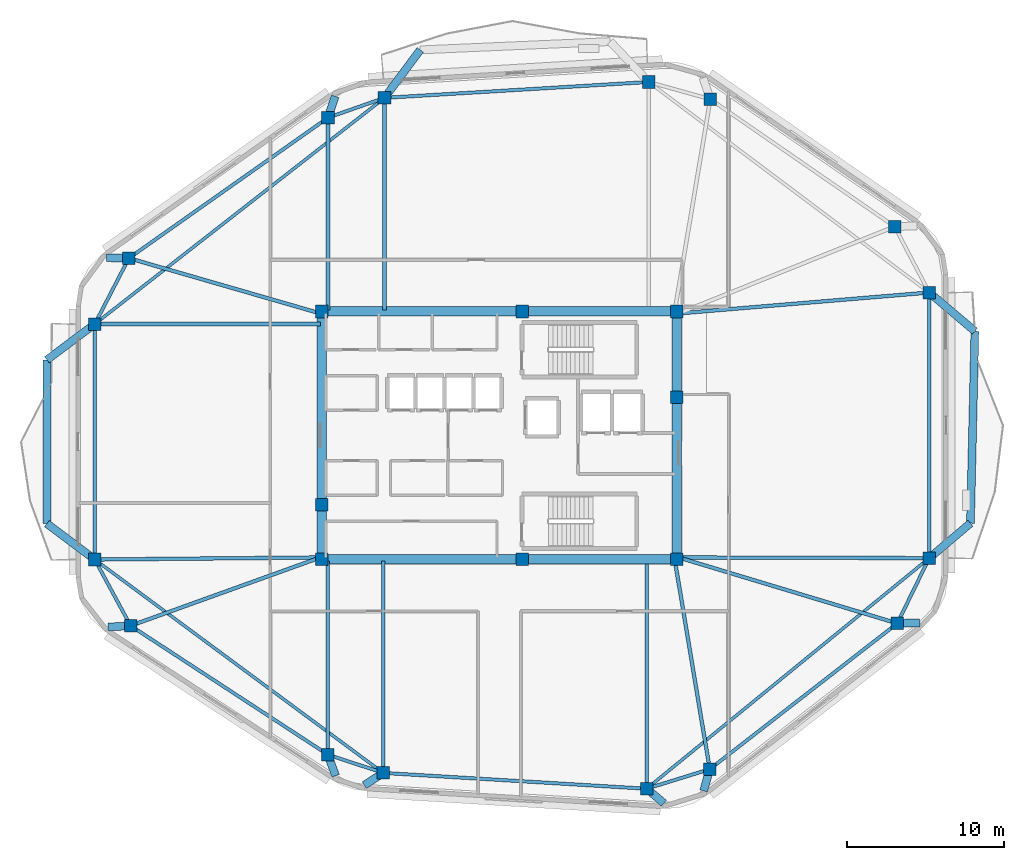
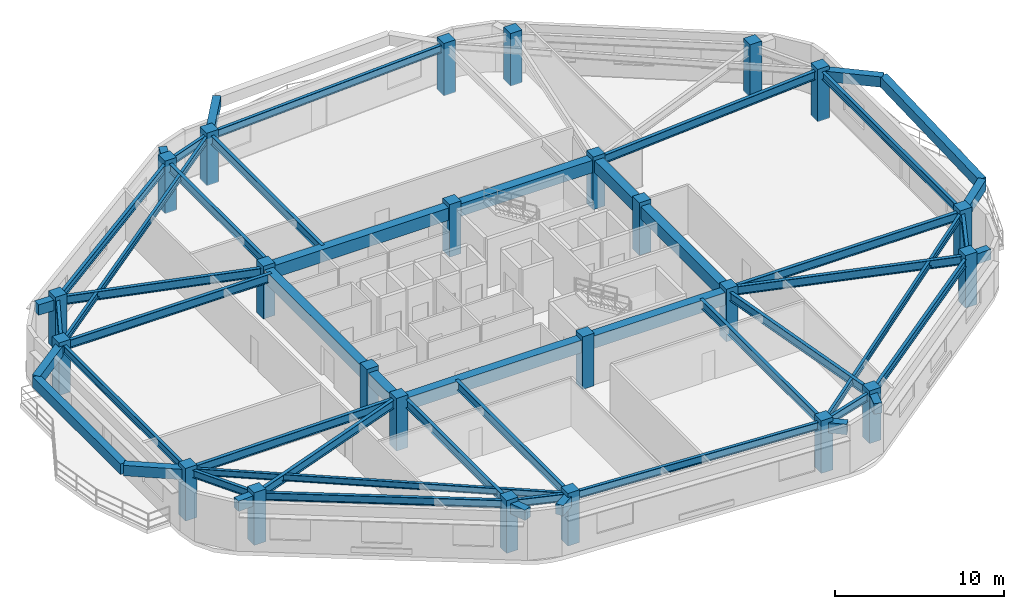
# One storey, part 1 of 9: 52 beams, 24 columns.
"""IFC4 building model written with IfcOpenShell, lengths in metres."""

from ifc_helpers import new_model, si_unit, direction, frame, origin, origin_2d, place, context, subcontext, project, spatial, rectangle, i_section, extrude, material, material_profile, profile_set, type_object, element, save


model = new_model("IFC4")

# Units and contexts
model_context = context("Model", 3, precision=1e-05, world=origin(), true_north=direction((0.0, 1.0)))
body_context = subcontext(model_context, "Body", "Model", "MODEL_VIEW")
ifc_project = project(units=[si_unit("LENGTHUNIT", "METRE"), si_unit("AREAUNIT", "SQUARE_METRE"), si_unit("VOLUMEUNIT", "CUBIC_METRE"), si_unit("PLANEANGLEUNIT", "RADIAN"), si_unit("MASSUNIT", "GRAM", prefix="KILO")], contexts=[model_context])

# Site, building, storey
site_placement = place(None, origin())
site = spatial("IfcSite", under=ifc_project, at=site_placement, CompositionType="ELEMENT")
building_placement = place(site_placement, origin())
building = spatial("IfcBuilding", under=site, at=building_placement, Name="Zulverin Broadcast Headquarters", CompositionType="ELEMENT")
storey_placement = place(building_placement, frame((0.0, 0.0, 251.60009765625)))
storey = spatial("IfcBuildingStorey", under=building, at=storey_placement, Name="L64", CompositionType="ELEMENT", Elevation=251.60009765625)

# Columns
ifc_material_1 = material(Name="Concrete C50/60", Category="concrete")
ifc_material_profile_1 = material_profile(ifc_material_1, rectangle(XDim=0.800048828125, YDim=0.800048828125, at=origin_2d()), Name="Concrete C50/60", Category="concrete")
ifc_profile_set_1 = profile_set([ifc_material_profile_1], Name="Concrete C50/60")
column_type_1 = type_object("IfcColumnType", Name="COL-RC-800", PredefinedType="COLUMN", material=ifc_profile_set_1)
for number, where, z_axis, x_axis, name in (
    (1, (29.6220703125, 3.763671875, 0.0), (0.0, 0.0, 1.0), (1.0, 0.0, 0.0), "L64 Perimeter Column T01"),
    (2, (46.3515625, 2.759521484375, 0.0), (0.0, 0.0, 1.0), (1.0, 0.0, 0.0), "L64 Perimeter Column T02"),
    (3, (50.361083984375, 4.001708984375, 0.0), (0.0, 0.0, 1.0), (1.0, 0.0, 0.0), "L64 Perimeter Column T03"),
    (4, (62.272216796875, 13.262451171875, 0.0), (0.0, 0.0, 1.0), (1.0, 0.0, 0.0), "L64 Perimeter Column T04"),
    (5, (64.300048828125, 17.40771484375, 0.0), (0.0, 0.0, 1.0), (1.0, 0.0, 0.0), "L64 Perimeter Column T05"),
    (6, (64.300048828125, 34.275634765625, 0.0), (0.0, 0.0, 1.0), (1.0, 0.0, 0.0), "L64 Perimeter Column T06"),
    (7, (62.102783203125, 38.465087890625, 0.0), (0.0, 0.0, 1.0), (1.0, 0.0, 0.0), "L64 Perimeter Column T07"),
    (8, (50.39794921875, 46.554443359375, 0.0), (0.0, 0.0, 1.0), (1.0, 0.0, 0.0), "L64 Perimeter Column T08"),
    (9, (46.4814453125, 47.6484375, 0.0), (0.0, 0.0, 1.0), (1.0, 0.0, 0.0), "L64 Perimeter Column T09"),
    (10, (29.70068359375, 46.64111328125, 0.0), (0.0, 0.0, 1.0), (1.0, 0.0, 0.0), "L64 Perimeter Column T10"),
    (11, (26.11474609375, 45.383544921875, 0.0), (0.0, 0.0, 1.0), (1.0, 0.0, 0.0), "L64 Perimeter Column T11"),
    (12, (13.46728515625, 36.457763671875, 0.0), (0.0, 0.0, 1.0), (1.0, 0.0, 0.0), "L64 Perimeter Column T12"),
    (13, (11.300048828125, 32.275390625, 0.0), (0.0, 0.0, 1.0), (1.0, 0.0, 0.0), "L64 Perimeter Column T13"),
    (14, (11.300048828125, 17.318603515625, 0.0), (0.0, 0.0, 1.0), (1.0, 0.0, 0.0), "L64 Perimeter Column T14"),
    (15, (13.576416015625, 13.11181640625, 0.0), (0.0, 0.0, 1.0), (1.0, 0.0, 0.0), "L64 Perimeter Column T15"),
    (16, (26.098876953125, 4.9287109375, 0.0), (0.0, 0.0, 1.0), (1.0, 0.0, 0.0), "L64 Perimeter Column T16"),
):
    element("IfcColumn", number, at=place(storey_placement, frame(where, z_axis=z_axis, x_axis=x_axis)), inside=storey, type_object=column_type_1, Name=name, PredefinedType="COLUMN", context=body_context, shape_type="SweptSolid", body=[
        extrude(rectangle(XDim=0.800048828125, YDim=0.800048828125, at=origin_2d()), origin(), (0.0, 0.0, 1.0), 3.7998046875),
    ])
ifc_material_profile_2 = material_profile(ifc_material_1, rectangle(XDim=0.800048828125, YDim=0.800048828125, at=origin_2d()), Name="Concrete C50/60", Category="concrete")
ifc_profile_set_2 = profile_set([ifc_material_profile_2], Name="Concrete C50/60")
column_type_2 = type_object("IfcColumnType", Name="PIL-RC-800", PredefinedType="PILASTER", material=ifc_profile_set_2)
for number, where, z_axis, x_axis, name in (
    (17, (25.72509765625, 17.324951171875, 0.0), (0.0, 0.0, 1.0), (1.0, 0.0, 0.0), "L64 Core Pilaster K01"),
    (18, (38.449951171875, 17.324951171875, 0.0), (0.0, 0.0, 1.0), (1.0, 0.0, 0.0), "L64 Core Pilaster K02"),
    (19, (48.27490234375, 17.324951171875, 0.0), (0.0, 0.0, 1.0), (1.0, 0.0, 0.0), "L64 Core Pilaster K03"),
    (20, (48.27490234375, 27.6201171875, 0.0), (0.0, 0.0, 1.0), (1.0, 0.0, 0.0), "L64 Core Pilaster K04"),
    (21, (48.27490234375, 33.074951171875, 0.0), (0.0, 0.0, 1.0), (1.0, 0.0, 0.0), "L64 Core Pilaster K05"),
    (22, (38.449951171875, 33.074951171875, 0.0), (0.0, 0.0, 1.0), (1.0, 0.0, 0.0), "L64 Core Pilaster K06"),
    (23, (25.72509765625, 33.074951171875, 0.0), (0.0, 0.0, 1.0), (1.0, 0.0, 0.0), "L64 Core Pilaster K07"),
    (24, (25.72509765625, 20.800048828125, 0.0), (0.0, 0.0, 1.0), (1.0, 0.0, 0.0), "L64 Core Pilaster K08"),
):
    element("IfcColumn", number, at=place(storey_placement, frame(where, z_axis=z_axis, x_axis=x_axis)), inside=storey, type_object=column_type_2, Name=name, PredefinedType="PILASTER", context=body_context, shape_type="SweptSolid", body=[
        extrude(rectangle(XDim=0.800048828125, YDim=0.800048828125, at=origin_2d()), origin(), (0.0, 0.0, 1.0), 3.7998046875),
    ])

# Beams
ifc_material_2 = material(Name="Concrete C60/75", Category="concrete")
ifc_material_profile_3 = material_profile(ifc_material_2, rectangle(XDim=0.60009765625, YDim=0.89990234375, at=origin_2d()), Name="Concrete C60/75", Category="concrete")
ifc_profile_set_3 = profile_set([ifc_material_profile_3], Name="Concrete C60/75")
beam_type_1 = type_object("IfcBeamType", Name="BM-CB-600x900", PredefinedType="LINTEL", material=ifc_profile_set_3)
beam_1_placement = place(storey_placement, frame((25.72509765625, 17.324951171875, 3.059814453125), z_axis=(1.0, 0.0, 0.0), x_axis=(0.0, 1.0, 0.0)))
element("IfcBeam", 25, at=beam_1_placement, inside=storey, type_object=beam_type_1, Name="L64 Core Coupling Girder K01-K02", PredefinedType="LINTEL", context=body_context, shape_type="SweptSolid", body=[
    extrude(rectangle(XDim=0.60009765625, YDim=0.89990234375, at=origin_2d()), origin(), (0.0, 0.0, 1.0), 12.724853515625),
])
beam_2_placement = place(storey_placement, frame((38.449951171875, 17.324951171875, 3.059814453125), z_axis=(1.0, 0.0, 0.0), x_axis=(0.0, 1.0, 0.0)))
element("IfcBeam", 26, at=beam_2_placement, inside=storey, type_object=beam_type_1, Name="L64 Core Coupling Girder K02-K03", PredefinedType="LINTEL", context=body_context, shape_type="SweptSolid", body=[
    extrude(rectangle(XDim=0.60009765625, YDim=0.89990234375, at=origin_2d()), origin(), (0.0, 0.0, 1.0), 9.824951171875),
])
beam_3_placement = place(storey_placement, frame((48.27490234375, 17.324951171875, 3.059814453125), z_axis=(0.0, 1.0, 0.0), x_axis=(-1.0, 0.0, 0.0)))
element("IfcBeam", 27, at=beam_3_placement, inside=storey, type_object=beam_type_1, Name="L64 Core Coupling Girder K03-K04", PredefinedType="LINTEL", context=body_context, shape_type="SweptSolid", body=[
    extrude(rectangle(XDim=0.60009765625, YDim=0.89990234375, at=origin_2d()), origin(), (0.0, 0.0, 1.0), 10.295166015625),
])
beam_4_placement = place(storey_placement, frame((48.27490234375, 27.6201171875, 3.059814453125), z_axis=(0.0, 1.0, 0.0), x_axis=(-1.0, 0.0, 0.0)))
element("IfcBeam", 28, at=beam_4_placement, inside=storey, type_object=beam_type_1, Name="L64 Core Coupling Girder K04-K05", PredefinedType="LINTEL", context=body_context, shape_type="SweptSolid", body=[
    extrude(rectangle(XDim=0.60009765625, YDim=0.89990234375, at=origin_2d()), origin(), (0.0, 0.0, 1.0), 5.454833984375),
])
beam_5_placement = place(storey_placement, frame((48.27490234375, 33.074951171875, 3.059814453125), z_axis=(-1.0, 0.0, 0.0), x_axis=(0.0, -1.0, 0.0)))
element("IfcBeam", 29, at=beam_5_placement, inside=storey, type_object=beam_type_1, Name="L64 Core Coupling Girder K05-K06", PredefinedType="LINTEL", context=body_context, shape_type="SweptSolid", body=[
    extrude(rectangle(XDim=0.60009765625, YDim=0.89990234375, at=origin_2d()), origin(), (0.0, 0.0, 1.0), 9.824951171875),
])
beam_6_placement = place(storey_placement, frame((38.449951171875, 33.074951171875, 3.059814453125), z_axis=(-1.0, 0.0, 0.0), x_axis=(0.0, -1.0, 0.0)))
element("IfcBeam", 30, at=beam_6_placement, inside=storey, type_object=beam_type_1, Name="L64 Core Coupling Girder K06-K07", PredefinedType="LINTEL", context=body_context, shape_type="SweptSolid", body=[
    extrude(rectangle(XDim=0.60009765625, YDim=0.89990234375, at=origin_2d()), origin(), (0.0, 0.0, 1.0), 12.724853515625),
])
beam_7_placement = place(storey_placement, frame((25.72509765625, 33.074951171875, 3.059814453125), z_axis=(0.0, -1.0, 0.0), x_axis=(1.0, 0.0, 0.0)))
element("IfcBeam", 31, at=beam_7_placement, inside=storey, type_object=beam_type_1, Name="L64 Core Coupling Girder K07-K08", PredefinedType="LINTEL", context=body_context, shape_type="SweptSolid", body=[
    extrude(rectangle(XDim=0.60009765625, YDim=0.89990234375, at=origin_2d()), origin(), (0.0, 0.0, 1.0), 12.27490234375),
])
beam_8_placement = place(storey_placement, frame((25.72509765625, 20.800048828125, 3.059814453125), z_axis=(0.0, -1.0, 0.0), x_axis=(1.0, 0.0, 0.0)))
element("IfcBeam", 32, at=beam_8_placement, inside=storey, type_object=beam_type_1, Name="L64 Core Coupling Girder K08-K01", PredefinedType="LINTEL", context=body_context, shape_type="SweptSolid", body=[
    extrude(rectangle(XDim=0.60009765625, YDim=0.89990234375, at=origin_2d()), origin(), (0.0, 0.0, 1.0), 3.47509765625),
])
ifc_material_3 = material(Name="Concrete C40/50", Category="concrete")
ifc_material_profile_4 = material_profile(ifc_material_3, rectangle(XDim=0.5, YDim=0.75, at=origin_2d()), Name="Concrete C40/50", Category="concrete")
ifc_profile_set_4 = profile_set([ifc_material_profile_4], Name="Concrete C40/50")
beam_type_2 = type_object("IfcBeamType", Name="BM-RC-500x750", PredefinedType="BEAM", material=ifc_profile_set_4)
beam_9_placement = place(storey_placement, frame((29.6220703125, 3.763671875, 3.135009765625), z_axis=(-0.83837730459, -0.545090355031, 0.0), x_axis=(0.545090355031, -0.83837730459, 0.0)))
element("IfcBeam", 33, at=beam_9_placement, inside=storey, type_object=beam_type_2, Name="L65 Plate Overhang Back-Spanned Beam OVR-01", PredefinedType="BEAM", context=body_context, shape_type="SweptSolid", body=[
    extrude(rectangle(XDim=0.5, YDim=0.75, at=origin_2d()), origin(), (0.0, 0.0, 1.0), 1.43017578125),
])
for number, where, z_axis, x_axis, name in (
    (34, (46.3515625, 2.759521484375, 3.135009765625), (0.767058538949, -0.641577117598, 0.0), (0.641577117598, 0.767058538949, 0.0), "L65 Plate Overhang Back-Spanned Beam OVR-02"),
    (35, (50.361083984375, 4.001708984375, 3.135009765625), (-0.269914876125, -0.962884188076, 0.0), (0.962884188076, -0.269914876125, 0.0), "L65 Plate Overhang Back-Spanned Beam OVR-03"),
):
    element("IfcBeam", number, at=place(storey_placement, frame(where, z_axis=z_axis, x_axis=x_axis)), inside=storey, type_object=beam_type_2, Name=name, PredefinedType="BEAM", context=body_context, shape_type="SweptSolid", body=[
        extrude(rectangle(XDim=0.5, YDim=0.75, at=origin_2d()), origin(), (0.0, 0.0, 1.0), 1.429931640625),
    ])
for number, where, z_axis, x_axis, name in (
    (36, (62.272216796875, 13.262451171875, 3.135009765625), (0.999706131466, 0.024241507969, 0.0), (-0.024241507969, 0.999706131466, 0.0), "L65 Plate Overhang Back-Spanned Beam OVR-04"),
    (37, (26.11474609375, 45.383544921875, 3.135009765625), (0.314280982662, 0.94933000792, 0.0), (-0.94933000792, 0.314280982662, 0.0), "L65 Plate Overhang Back-Spanned Beam OVR-11"),
):
    element("IfcBeam", number, at=place(storey_placement, frame(where, z_axis=z_axis, x_axis=x_axis)), inside=storey, type_object=beam_type_2, Name=name, PredefinedType="BEAM", context=body_context, shape_type="SweptSolid", body=[
        extrude(rectangle(XDim=0.5, YDim=0.75, at=origin_2d()), origin(), (0.0, 0.0, 1.0), 1.43017578125),
    ])
beam_10_placement = place(storey_placement, frame((13.46728515625, 36.457763671875, 3.135009765625), z_axis=(-0.999761201155, 0.02185270385, 0.0), x_axis=(-0.02185270385, -0.999761201155, 0.0)))
element("IfcBeam", 38, at=beam_10_placement, inside=storey, type_object=beam_type_2, Name="L65 Plate Overhang Back-Spanned Beam OVR-12", PredefinedType="BEAM", context=body_context, shape_type="SweptSolid", body=[
    extrude(rectangle(XDim=0.5, YDim=0.75, at=origin_2d()), origin(), (0.0, 0.0, 1.0), 1.429931640625),
])
beam_11_placement = place(storey_placement, frame((13.576416015625, 13.11181640625, 3.135009765625), z_axis=(-0.998333895448, -0.057701240879, 0.0), x_axis=(0.057701240879, -0.998333895448, 0.0)))
element("IfcBeam", 39, at=beam_11_placement, inside=storey, type_object=beam_type_2, Name="L65 Plate Overhang Back-Spanned Beam OVR-15", PredefinedType="BEAM", context=body_context, shape_type="SweptSolid", body=[
    extrude(rectangle(XDim=0.5, YDim=0.75, at=origin_2d()), origin(), (0.0, 0.0, 1.0), 1.43017578125),
])
beam_12_placement = place(storey_placement, frame((26.098876953125, 4.9287109375, 3.135009765625), z_axis=(0.348109371259, -0.93745392721, 0.0), x_axis=(0.93745392721, 0.348109371259, 0.0)))
element("IfcBeam", 40, at=beam_12_placement, inside=storey, type_object=beam_type_2, Name="L65 Plate Overhang Back-Spanned Beam OVR-16", PredefinedType="BEAM", context=body_context, shape_type="SweptSolid", body=[
    extrude(rectangle(XDim=0.5, YDim=0.75, at=origin_2d()), origin(), (0.0, 0.0, 1.0), 1.429931640625),
])
beam_13_placement = place(storey_placement, frame((64.300048828125, 17.40771484375, 3.135009765625), z_axis=(0.76331882833, 0.64602195498, 0.0), x_axis=(-0.64602195498, 0.76331882833, 0.0)))
element("IfcBeam", 41, at=beam_13_placement, inside=storey, type_object=beam_type_2, Name="L65 Balcony Column-Framed Cantilever BAL_E-1", PredefinedType="BEAM", context=body_context, shape_type="SweptSolid", body=[
    extrude(rectangle(XDim=0.5, YDim=0.75, at=origin_2d()), origin(), (0.0, 0.0, 1.0), 3.43212890625),
])
beam_14_placement = place(storey_placement, frame((64.300048828125, 34.275634765625, 3.135009765625), z_axis=(0.763327794612, -0.646011360561, 0.0), x_axis=(0.646011360561, 0.763327794612, 0.0)))
element("IfcBeam", 42, at=beam_14_placement, inside=storey, type_object=beam_type_2, Name="L65 Balcony Column-Framed Cantilever BAL_E-2", PredefinedType="BEAM", context=body_context, shape_type="SweptSolid", body=[
    extrude(rectangle(XDim=0.5, YDim=0.75, at=origin_2d()), origin(), (0.0, 0.0, 1.0), 3.800048828125),
])
beam_15_placement = place(storey_placement, frame((66.919921875, 19.625, 3.135009765625), z_axis=(0.023015081587, 0.999735117929, 0.0), x_axis=(-0.999735117929, 0.023015081587, 0.0)))
element("IfcBeam", 43, at=beam_15_placement, inside=storey, type_object=beam_type_2, Name="L65 Balcony Outer Edge Trimmer Beam BAL_E", PredefinedType="BEAM", context=body_context, shape_type="SweptSolid", body=[
    extrude(rectangle(XDim=0.5, YDim=0.75, at=origin_2d()), origin(), (0.0, 0.0, 1.0), 12.198974609375),
])
for number, where, z_axis, x_axis, name in (
    (44, (29.70068359375, 46.64111328125, 3.135009765625), (0.597756700855, 0.801677570213, 0.0), (-0.801677570213, 0.597756700855, 0.0), "L65 Balcony Column-Framed Cantilever BAL_N-2"),
    (45, (11.300048828125, 32.275390625, 3.135009765625), (-0.80024663654, -0.599671010394, 0.0), (0.599671010394, -0.80024663654, 0.0), "L65 Balcony Column-Framed Cantilever BAL_W-1"),
    (46, (11.300048828125, 17.318603515625, 3.135009765625), (-0.80024663654, 0.599671010394, 0.0), (-0.599671010394, -0.80024663654, 0.0), "L65 Balcony Column-Framed Cantilever BAL_W-2"),
):
    element("IfcBeam", number, at=place(storey_placement, frame(where, z_axis=z_axis, x_axis=x_axis)), inside=storey, type_object=beam_type_2, Name=name, PredefinedType="BEAM", context=body_context, shape_type="SweptSolid", body=[
        extrude(rectangle(XDim=0.5, YDim=0.75, at=origin_2d()), origin(), (0.0, 0.0, 1.0), 3.800048828125),
    ])
beam_16_placement = place(storey_placement, frame((8.259033203125, 29.99658203125, 3.135009765625), z_axis=(0.0, -1.0, 0.0), x_axis=(1.0, 0.0, 0.0)))
element("IfcBeam", 47, at=beam_16_placement, inside=storey, type_object=beam_type_2, Name="L65 Balcony Outer Edge Trimmer Beam BAL_W", PredefinedType="BEAM", context=body_context, shape_type="SweptSolid", body=[
    extrude(rectangle(XDim=0.5, YDim=0.75, at=origin_2d()), origin(), (0.0, 0.0, 1.0), 10.399169921875),
])
ifc_material_4 = material(Name="Structural steel S355JR", Category="steel")
ifc_material_profile_5 = material_profile(ifc_material_4, i_section(OverallWidth=0.19287109375, OverallDepth=0.46728515625, WebThickness=0.011474609375, FlangeThickness=0.01953125, at=origin_2d()), Name="Structural steel S355JR", Category="steel")
ifc_profile_set_5 = profile_set([ifc_material_profile_5], Name="Structural steel S355JR")
beam_type_3 = type_object("IfcBeamType", Name="BM-UB-457", PredefinedType="JOIST", material=ifc_profile_set_5)
beam_17_placement = place(storey_placement, frame((46.3515625, 2.759521484375, 3.2763671875), z_axis=(0.77473799882, 0.632282399869, 0.0), x_axis=(-0.632282399869, 0.77473799882, 0.0)))
element("IfcBeam", 48, at=beam_17_placement, inside=storey, type_object=beam_type_3, Name="L64 Chordal Floor Joist J-01", PredefinedType="JOIST", context=body_context, shape_type="SweptSolid", body=[
    extrude(i_section(OverallWidth=0.19287109375, OverallDepth=0.46728515625, WebThickness=0.011474609375, FlangeThickness=0.01953125, at=origin_2d()), origin(), (0.0, 0.0, 1.0), 23.167236328125),
])
beam_18_placement = place(storey_placement, frame((29.70068359375, 46.64111328125, 3.2763671875), z_axis=(-0.788227438956, -0.615384030079, 0.0), x_axis=(0.615384030079, -0.788227438956, 0.0)))
element("IfcBeam", 49, at=beam_18_placement, inside=storey, type_object=beam_type_3, Name="L64 Chordal Floor Joist J-03", PredefinedType="JOIST", context=body_context, shape_type="SweptSolid", body=[
    extrude(i_section(OverallWidth=0.19287109375, OverallDepth=0.46728515625, WebThickness=0.011474609375, FlangeThickness=0.01953125, at=origin_2d()), origin(), (0.0, 0.0, 1.0), 23.34423828125),
])
beam_19_placement = place(storey_placement, frame((11.300048828125, 17.318603515625, 3.2763671875), z_axis=(0.803912476144, -0.594747619332, 0.0), x_axis=(0.594747619332, 0.803912476144, 0.0)))
element("IfcBeam", 50, at=beam_19_placement, inside=storey, type_object=beam_type_3, Name="L64 Chordal Floor Joist J-04", PredefinedType="JOIST", context=body_context, shape_type="SweptSolid", body=[
    extrude(i_section(OverallWidth=0.19287109375, OverallDepth=0.46728515625, WebThickness=0.011474609375, FlangeThickness=0.01953125, at=origin_2d()), origin(), (0.0, 0.0, 1.0), 22.791015625),
])
ifc_material_profile_6 = material_profile(ifc_material_4, i_section(OverallWidth=0.2119140625, OverallDepth=0.54443359375, WebThickness=0.0126953125, FlangeThickness=0.021240234375, at=origin_2d()), Name="Structural steel S355JR", Category="steel")
ifc_profile_set_6 = profile_set([ifc_material_profile_6], Name="Structural steel S355JR")
beam_type_4 = type_object("IfcBeamType", Name="BM-UB-533", PredefinedType="SPANDREL", material=ifc_profile_set_6)
beam_20_placement = place(storey_placement, frame((29.6220703125, 3.763671875, 3.237548828125), z_axis=(0.998203486609, -0.059914934044, 0.0), x_axis=(0.059914934044, 0.998203486609, 0.0)))
element("IfcBeam", 51, at=beam_20_placement, inside=storey, type_object=beam_type_4, Name="L64 Perimeter Spandrel Beam SP-01", PredefinedType="SPANDREL", context=body_context, shape_type="SweptSolid", body=[
    extrude(i_section(OverallWidth=0.2119140625, OverallDepth=0.54443359375, WebThickness=0.0126953125, FlangeThickness=0.021240234375, at=origin_2d()), origin(), (0.0, 0.0, 1.0), 16.759521484375),
])
beam_21_placement = place(storey_placement, frame((46.3515625, 2.759521484375, 3.237548828125), z_axis=(0.955208799219, 0.295932677978, 0.0), x_axis=(-0.295932677978, 0.955208799219, 0.0)))
element("IfcBeam", 52, at=beam_21_placement, inside=storey, type_object=beam_type_4, Name="L64 Perimeter Spandrel Beam SP-02", PredefinedType="SPANDREL", context=body_context, shape_type="SweptSolid", body=[
    extrude(i_section(OverallWidth=0.2119140625, OverallDepth=0.54443359375, WebThickness=0.0126953125, FlangeThickness=0.021240234375, at=origin_2d()), origin(), (0.0, 0.0, 1.0), 4.197509765625),
])
beam_22_placement = place(storey_placement, frame((50.361083984375, 4.001708984375, 3.237548828125), z_axis=(0.789463732329, 0.613797210271, 0.0), x_axis=(-0.613797210271, 0.789463732329, 0.0)))
element("IfcBeam", 53, at=beam_22_placement, inside=storey, type_object=beam_type_4, Name="L64 Perimeter Spandrel Beam SP-03", PredefinedType="SPANDREL", context=body_context, shape_type="SweptSolid", body=[
    extrude(i_section(OverallWidth=0.2119140625, OverallDepth=0.54443359375, WebThickness=0.0126953125, FlangeThickness=0.021240234375, at=origin_2d()), origin(), (0.0, 0.0, 1.0), 15.087646484375),
])
beam_23_placement = place(storey_placement, frame((62.272216796875, 13.262451171875, 3.237548828125), z_axis=(0.439430258265, 0.898276710219, 0.0), x_axis=(-0.898276710219, 0.439430258265, 0.0)))
element("IfcBeam", 54, at=beam_23_placement, inside=storey, type_object=beam_type_4, Name="L64 Perimeter Spandrel Beam SP-04", PredefinedType="SPANDREL", context=body_context, shape_type="SweptSolid", body=[
    extrude(i_section(OverallWidth=0.2119140625, OverallDepth=0.54443359375, WebThickness=0.0126953125, FlangeThickness=0.021240234375, at=origin_2d()), origin(), (0.0, 0.0, 1.0), 4.61474609375),
])
beam_24_placement = place(storey_placement, frame((64.300048828125, 17.40771484375, 3.237548828125), z_axis=(0.0, 1.0, 0.0), x_axis=(-1.0, 0.0, 0.0)))
element("IfcBeam", 55, at=beam_24_placement, inside=storey, type_object=beam_type_4, Name="L64 Perimeter Spandrel Beam SP-05", PredefinedType="SPANDREL", context=body_context, shape_type="SweptSolid", body=[
    extrude(i_section(OverallWidth=0.2119140625, OverallDepth=0.54443359375, WebThickness=0.0126953125, FlangeThickness=0.021240234375, at=origin_2d()), origin(), (0.0, 0.0, 1.0), 16.867919921875),
])
beam_25_placement = place(storey_placement, frame((46.4814453125, 47.6484375, 3.237548828125), z_axis=(-0.99820314332, -0.059920653088, 0.0), x_axis=(0.059920653088, -0.99820314332, 0.0)))
element("IfcBeam", 56, at=beam_25_placement, inside=storey, type_object=beam_type_4, Name="L64 Perimeter Spandrel Beam SP-09", PredefinedType="SPANDREL", context=body_context, shape_type="SweptSolid", body=[
    extrude(i_section(OverallWidth=0.2119140625, OverallDepth=0.54443359375, WebThickness=0.0126953125, FlangeThickness=0.021240234375, at=origin_2d()), origin(), (0.0, 0.0, 1.0), 16.81103515625),
])
beam_26_placement = place(storey_placement, frame((29.70068359375, 46.64111328125, 3.237548828125), z_axis=(-0.943653845921, -0.330934161243, 0.0), x_axis=(0.330934161243, -0.943653845921, 0.0)))
element("IfcBeam", 57, at=beam_26_placement, inside=storey, type_object=beam_type_4, Name="L64 Perimeter Spandrel Beam SP-10", PredefinedType="SPANDREL", context=body_context, shape_type="SweptSolid", body=[
    extrude(i_section(OverallWidth=0.2119140625, OverallDepth=0.54443359375, WebThickness=0.0126953125, FlangeThickness=0.021240234375, at=origin_2d()), origin(), (0.0, 0.0, 1.0), 3.800048828125),
])
beam_27_placement = place(storey_placement, frame((26.11474609375, 45.383544921875, 3.237548828125), z_axis=(-0.817023806154, -0.576603937012, 0.0), x_axis=(0.576603937012, -0.817023806154, 0.0)))
element("IfcBeam", 58, at=beam_27_placement, inside=storey, type_object=beam_type_4, Name="L64 Perimeter Spandrel Beam SP-11", PredefinedType="SPANDREL", context=body_context, shape_type="SweptSolid", body=[
    extrude(i_section(OverallWidth=0.2119140625, OverallDepth=0.54443359375, WebThickness=0.0126953125, FlangeThickness=0.021240234375, at=origin_2d()), origin(), (0.0, 0.0, 1.0), 15.47998046875),
])
beam_28_placement = place(storey_placement, frame((13.46728515625, 36.457763671875, 3.237548828125), z_axis=(-0.460082658911, -0.887876087621, 0.0), x_axis=(0.887876087621, -0.460082658911, 0.0)))
element("IfcBeam", 59, at=beam_28_placement, inside=storey, type_object=beam_type_4, Name="L64 Perimeter Spandrel Beam SP-12", PredefinedType="SPANDREL", context=body_context, shape_type="SweptSolid", body=[
    extrude(i_section(OverallWidth=0.2119140625, OverallDepth=0.54443359375, WebThickness=0.0126953125, FlangeThickness=0.021240234375, at=origin_2d()), origin(), (0.0, 0.0, 1.0), 4.71044921875),
])
beam_29_placement = place(storey_placement, frame((11.300048828125, 32.275390625, 3.237548828125), z_axis=(0.0, -1.0, 0.0), x_axis=(1.0, 0.0, 0.0)))
element("IfcBeam", 60, at=beam_29_placement, inside=storey, type_object=beam_type_4, Name="L64 Perimeter Spandrel Beam SP-13", PredefinedType="SPANDREL", context=body_context, shape_type="SweptSolid", body=[
    extrude(i_section(OverallWidth=0.2119140625, OverallDepth=0.54443359375, WebThickness=0.0126953125, FlangeThickness=0.021240234375, at=origin_2d()), origin(), (0.0, 0.0, 1.0), 14.956787109375),
])
beam_30_placement = place(storey_placement, frame((11.300048828125, 17.318603515625, 3.237548828125), z_axis=(0.475909852672, -0.879494066, 0.0), x_axis=(0.879494066, 0.475909852672, 0.0)))
element("IfcBeam", 61, at=beam_30_placement, inside=storey, type_object=beam_type_4, Name="L64 Perimeter Spandrel Beam SP-14", PredefinedType="SPANDREL", context=body_context, shape_type="SweptSolid", body=[
    extrude(i_section(OverallWidth=0.2119140625, OverallDepth=0.54443359375, WebThickness=0.0126953125, FlangeThickness=0.021240234375, at=origin_2d()), origin(), (0.0, 0.0, 1.0), 4.783203125),
])
beam_31_placement = place(storey_placement, frame((13.576416015625, 13.11181640625, 3.237548828125), z_axis=(0.837112191398, -0.547031241349, 0.0), x_axis=(0.547031241349, 0.837112191398, 0.0)))
element("IfcBeam", 62, at=beam_31_placement, inside=storey, type_object=beam_type_4, Name="L64 Perimeter Spandrel Beam SP-15", PredefinedType="SPANDREL", context=body_context, shape_type="SweptSolid", body=[
    extrude(i_section(OverallWidth=0.2119140625, OverallDepth=0.54443359375, WebThickness=0.0126953125, FlangeThickness=0.021240234375, at=origin_2d()), origin(), (0.0, 0.0, 1.0), 14.959228515625),
])
beam_32_placement = place(storey_placement, frame((26.098876953125, 4.9287109375, 3.237548828125), z_axis=(0.949437184981, -0.313957054031, 0.0), x_axis=(0.313957054031, 0.949437184981, 0.0)))
element("IfcBeam", 63, at=beam_32_placement, inside=storey, type_object=beam_type_4, Name="L64 Perimeter Spandrel Beam SP-16", PredefinedType="SPANDREL", context=body_context, shape_type="SweptSolid", body=[
    extrude(i_section(OverallWidth=0.2119140625, OverallDepth=0.54443359375, WebThickness=0.0126953125, FlangeThickness=0.021240234375, at=origin_2d()), origin(), (0.0, 0.0, 1.0), 3.7109375),
])
ifc_material_profile_7 = material_profile(ifc_material_4, i_section(OverallWidth=0.230224609375, OverallDepth=0.6171875, WebThickness=0.01318359375, FlangeThickness=0.022216796875, at=origin_2d()), Name="Structural steel S355JR", Category="steel")
ifc_profile_set_7 = profile_set([ifc_material_profile_7], Name="Structural steel S355JR")
beam_type_5 = type_object("IfcBeamType", Name="BM-UB-610", PredefinedType="BEAM", material=ifc_profile_set_7)
beam_33_placement = place(storey_placement, frame((29.6220703125, 17.22509765625, 3.201416015625), z_axis=(0.0, -1.0, 0.0), x_axis=(1.0, 0.0, 0.0)))
element("IfcBeam", 64, at=beam_33_placement, inside=storey, type_object=beam_type_5, Name="L64 Radial Primary Floor Beam RB-01", PredefinedType="BEAM", context=body_context, shape_type="SweptSolid", body=[
    extrude(i_section(OverallWidth=0.230224609375, OverallDepth=0.6171875, WebThickness=0.01318359375, FlangeThickness=0.022216796875, at=origin_2d()), origin(), (0.0, 0.0, 1.0), 13.46142578125),
])
beam_34_placement = place(storey_placement, frame((46.3515625, 17.22509765625, 3.201416015625), z_axis=(0.0, -1.0, 0.0), x_axis=(1.0, 0.0, 0.0)))
element("IfcBeam", 65, at=beam_34_placement, inside=storey, type_object=beam_type_5, Name="L64 Radial Primary Floor Beam RB-02", PredefinedType="BEAM", context=body_context, shape_type="SweptSolid", body=[
    extrude(i_section(OverallWidth=0.230224609375, OverallDepth=0.6171875, WebThickness=0.01318359375, FlangeThickness=0.022216796875, at=origin_2d()), origin(), (0.0, 0.0, 1.0), 14.465576171875),
])
beam_35_placement = place(storey_placement, frame((48.14990234375, 17.22509765625, 3.201416015625), z_axis=(0.1649275445, -0.986305685407, 0.0), x_axis=(0.986305685407, 0.1649275445, 0.0)))
element("IfcBeam", 66, at=beam_35_placement, inside=storey, type_object=beam_type_5, Name="L64 Radial Primary Floor Beam RB-03", PredefinedType="BEAM", context=body_context, shape_type="SweptSolid", body=[
    extrude(i_section(OverallWidth=0.230224609375, OverallDepth=0.6171875, WebThickness=0.01318359375, FlangeThickness=0.022216796875, at=origin_2d()), origin(), (0.0, 0.0, 1.0), 13.406982421875),
])
beam_36_placement = place(storey_placement, frame((48.375, 17.449951171875, 3.201416015625), z_axis=(0.957477907331, -0.288506597799, 0.0), x_axis=(0.288506597799, 0.957477907331, 0.0)))
element("IfcBeam", 67, at=beam_36_placement, inside=storey, type_object=beam_type_5, Name="L64 Radial Primary Floor Beam RB-04", PredefinedType="BEAM", context=body_context, shape_type="SweptSolid", body=[
    extrude(i_section(OverallWidth=0.230224609375, OverallDepth=0.6171875, WebThickness=0.01318359375, FlangeThickness=0.022216796875, at=origin_2d()), origin(), (0.0, 0.0, 1.0), 14.514404296875),
])
beam_37_placement = place(storey_placement, frame((48.375, 17.449951171875, 3.201416015625), z_axis=(0.999996482951, -0.002652185248, 0.0), x_axis=(0.002652185248, 0.999996482951, 0.0)))
element("IfcBeam", 68, at=beam_37_placement, inside=storey, type_object=beam_type_5, Name="L64 Radial Primary Floor Beam RB-05", PredefinedType="BEAM", context=body_context, shape_type="SweptSolid", body=[
    extrude(i_section(OverallWidth=0.230224609375, OverallDepth=0.6171875, WebThickness=0.01318359375, FlangeThickness=0.022216796875, at=origin_2d()), origin(), (0.0, 0.0, 1.0), 15.925048828125),
])
beam_38_placement = place(storey_placement, frame((48.375, 32.949951171875, 3.201416015625), z_axis=(0.996553024533, 0.082958238256, 0.0), x_axis=(-0.082958238256, 0.996553024533, 0.0)))
element("IfcBeam", 69, at=beam_38_placement, inside=storey, type_object=beam_type_5, Name="L64 Radial Primary Floor Beam RB-06", PredefinedType="BEAM", context=body_context, shape_type="SweptSolid", body=[
    extrude(i_section(OverallWidth=0.230224609375, OverallDepth=0.6171875, WebThickness=0.01318359375, FlangeThickness=0.022216796875, at=origin_2d()), origin(), (0.0, 0.0, 1.0), 15.980224609375),
])
beam_39_placement = place(storey_placement, frame((29.70068359375, 33.175048828125, 3.201416015625), z_axis=(0.0, 1.0, 0.0), x_axis=(-1.0, 0.0, 0.0)))
element("IfcBeam", 70, at=beam_39_placement, inside=storey, type_object=beam_type_5, Name="L64 Radial Primary Floor Beam RB-10", PredefinedType="BEAM", context=body_context, shape_type="SweptSolid", body=[
    extrude(i_section(OverallWidth=0.230224609375, OverallDepth=0.6171875, WebThickness=0.01318359375, FlangeThickness=0.022216796875, at=origin_2d()), origin(), (0.0, 0.0, 1.0), 13.466064453125),
])
beam_40_placement = place(storey_placement, frame((26.11474609375, 33.175048828125, 3.201416015625), z_axis=(0.0, 1.0, 0.0), x_axis=(-1.0, 0.0, 0.0)))
element("IfcBeam", 71, at=beam_40_placement, inside=storey, type_object=beam_type_5, Name="L64 Radial Primary Floor Beam RB-11", PredefinedType="BEAM", context=body_context, shape_type="SweptSolid", body=[
    extrude(i_section(OverallWidth=0.230224609375, OverallDepth=0.6171875, WebThickness=0.01318359375, FlangeThickness=0.022216796875, at=origin_2d()), origin(), (0.0, 0.0, 1.0), 12.20849609375),
])
beam_41_placement = place(storey_placement, frame((25.625, 32.949951171875, 3.201416015625), z_axis=(-0.960807187215, 0.277217512067, 0.0), x_axis=(-0.277217512067, -0.960807187215, 0.0)))
element("IfcBeam", 72, at=beam_41_placement, inside=storey, type_object=beam_type_5, Name="L64 Radial Primary Floor Beam RB-12", PredefinedType="BEAM", context=body_context, shape_type="SweptSolid", body=[
    extrude(i_section(OverallWidth=0.230224609375, OverallDepth=0.6171875, WebThickness=0.01318359375, FlangeThickness=0.022216796875, at=origin_2d()), origin(), (0.0, 0.0, 1.0), 12.653564453125),
])
beam_42_placement = place(storey_placement, frame((25.625, 32.275390625, 3.201416015625), z_axis=(-1.0, 0.0, 0.0), x_axis=(0.0, -1.0, 0.0)))
element("IfcBeam", 73, at=beam_42_placement, inside=storey, type_object=beam_type_5, Name="L64 Radial Primary Floor Beam RB-13", PredefinedType="BEAM", context=body_context, shape_type="SweptSolid", body=[
    extrude(i_section(OverallWidth=0.230224609375, OverallDepth=0.6171875, WebThickness=0.01318359375, FlangeThickness=0.022216796875, at=origin_2d()), origin(), (0.0, 0.0, 1.0), 14.324951171875),
])
beam_43_placement = place(storey_placement, frame((25.625, 17.449951171875, 3.201416015625), z_axis=(-0.999957965975, -0.009168766693, 0.0), x_axis=(0.009168766693, -0.999957965975, 0.0)))
element("IfcBeam", 74, at=beam_43_placement, inside=storey, type_object=beam_type_5, Name="L64 Radial Primary Floor Beam RB-14", PredefinedType="BEAM", context=body_context, shape_type="SweptSolid", body=[
    extrude(i_section(OverallWidth=0.230224609375, OverallDepth=0.6171875, WebThickness=0.01318359375, FlangeThickness=0.022216796875, at=origin_2d()), origin(), (0.0, 0.0, 1.0), 14.325439453125),
])
beam_44_placement = place(storey_placement, frame((25.625, 17.449951171875, 3.201416015625), z_axis=(-0.940871370382, -0.338764024646, 0.0), x_axis=(0.338764024646, -0.940871370382, 0.0)))
element("IfcBeam", 75, at=beam_44_placement, inside=storey, type_object=beam_type_5, Name="L64 Radial Primary Floor Beam RB-15", PredefinedType="BEAM", context=body_context, shape_type="SweptSolid", body=[
    extrude(i_section(OverallWidth=0.230224609375, OverallDepth=0.6171875, WebThickness=0.01318359375, FlangeThickness=0.022216796875, at=origin_2d()), origin(), (0.0, 0.0, 1.0), 12.8056640625),
])
beam_45_placement = place(storey_placement, frame((26.098876953125, 17.22509765625, 3.201416015625), z_axis=(0.0, -1.0, 0.0), x_axis=(1.0, 0.0, 0.0)))
element("IfcBeam", 76, at=beam_45_placement, inside=storey, type_object=beam_type_5, Name="L64 Radial Primary Floor Beam RB-16", PredefinedType="BEAM", context=body_context, shape_type="SweptSolid", body=[
    extrude(i_section(OverallWidth=0.230224609375, OverallDepth=0.6171875, WebThickness=0.01318359375, FlangeThickness=0.022216796875, at=origin_2d()), origin(), (0.0, 0.0, 1.0), 12.29638671875),
])

save(model, "model.ifc")
